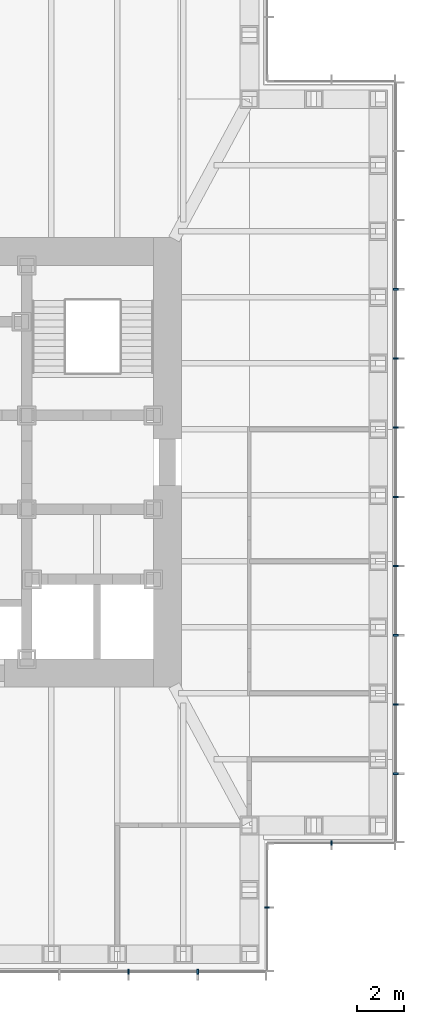
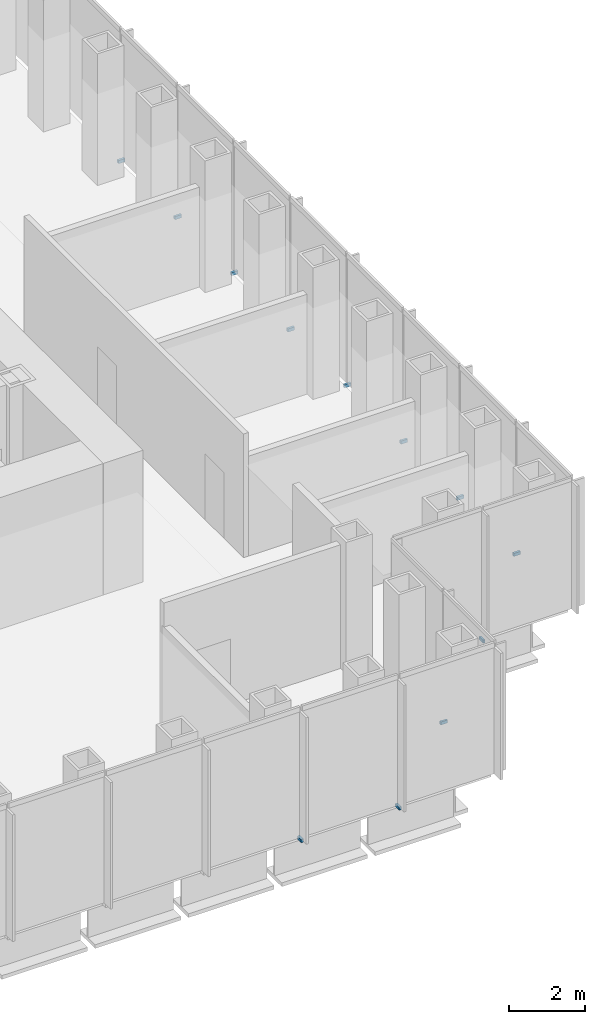
# One storey, part 13 of 16: 12 discrete accessories.
"""IFC4 building model written with IfcOpenShell, lengths in metres."""

from ifc_helpers import new_model, si_unit, direction, frame, origin, origin_2d, place, context, subcontext, project, spatial, rectangle, extrude, element, save


model = new_model("IFC4")

# Units and contexts
model_context = context("Model", 3, precision=1e-05, world=origin(), true_north=direction((0.0, 1.0)))
body_context = subcontext(model_context, "Body", "Model", "MODEL_VIEW")
ifc_project = project(units=[si_unit("LENGTHUNIT", "METRE"), si_unit("AREAUNIT", "SQUARE_METRE"), si_unit("VOLUMEUNIT", "CUBIC_METRE"), si_unit("PLANEANGLEUNIT", "RADIAN"), si_unit("MASSUNIT", "GRAM", prefix="KILO")], contexts=[model_context])

# Site, building, storey
site_placement = place(None, origin())
site = spatial("IfcSite", under=ifc_project, at=site_placement, CompositionType="ELEMENT")
building_placement = place(site_placement, origin())
building = spatial("IfcBuilding", under=site, at=building_placement, Name="Daluyong Arena Tower", CompositionType="ELEMENT")
storey_placement = place(building_placement, frame((0.0, 0.0, 240.10009765625)))
storey = spatial("IfcBuildingStorey", under=building, at=storey_placement, Name="L54", CompositionType="ELEMENT", Elevation=240.10009765625)

# Discrete accessories
for number, where, z_axis, x_axis, name in (
    (1, (66.3408203125, 58.25, -0.10009765625), (0.0, 0.0, 1.0), (1.0, 0.0, 0.0), "curtain wall L54 S anchor bracket 10"),
    (2, (69.29541015625, 58.25, -0.10009765625), (0.0, 0.0, 1.0), (1.0, 0.0, 0.0), "curtain wall L54 S anchor bracket 11"),
):
    element("IfcDiscreteAccessory", number, at=place(storey_placement, frame(where, z_axis=z_axis, x_axis=x_axis)), inside=storey, Name=name, PredefinedType="BRACKET", context=body_context, shape_type="SweptSolid", body=[
        extrude(rectangle(XDim=0.070068359375, YDim=0.199951171875, at=origin_2d()), origin(), (0.0, 0.0, 1.0), 0.10009765625),
    ])
for number, where, z_axis, x_axis, name in (
    (3, (72.25, 61.0, -0.10009765625), (0.0, 0.0, 1.0), (0.0, 1.0, 0.0), "curtain wall L54 SE-E anchor bracket 2"),
    (4, (75.0, 63.75, -0.10009765625), (0.0, 0.0, 1.0), (1.0, 0.0, 0.0), "curtain wall L54 SE-S anchor bracket 2"),
):
    element("IfcDiscreteAccessory", number, at=place(storey_placement, frame(where, z_axis=z_axis, x_axis=x_axis)), inside=storey, Name=name, PredefinedType="BRACKET", context=body_context, shape_type="SweptSolid", body=[
        extrude(rectangle(XDim=0.06005859375, YDim=0.199951171875, at=origin_2d()), origin(), (0.0, 0.0, 1.0), 0.10009765625),
    ])
for number, where, z_axis, x_axis, name in (
    (5, (77.75, 66.70458984375, -0.10009765625), (0.0, 0.0, 1.0), (0.0, 1.0, 0.0), "curtain wall L54 E anchor bracket 2"),
    (6, (77.75, 69.6591796875, -0.10009765625), (0.0, 0.0, 1.0), (0.0, 1.0, 0.0), "curtain wall L54 E anchor bracket 3"),
    (7, (77.75, 72.613525390625, -0.10009765625), (0.0, 0.0, 1.0), (0.0, 1.0, 0.0), "curtain wall L54 E anchor bracket 4"),
    (8, (77.75, 75.568115234375, -0.10009765625), (0.0, 0.0, 1.0), (0.0, 1.0, 0.0), "curtain wall L54 E anchor bracket 5"),
    (9, (77.75, 78.522705078125, -0.10009765625), (0.0, 0.0, 1.0), (0.0, 1.0, 0.0), "curtain wall L54 E anchor bracket 6"),
    (10, (77.75, 81.477294921875, -0.10009765625), (0.0, 0.0, 1.0), (0.0, 1.0, 0.0), "curtain wall L54 E anchor bracket 7"),
    (11, (77.75, 84.431884765625, -0.10009765625), (0.0, 0.0, 1.0), (0.0, 1.0, 0.0), "curtain wall L54 E anchor bracket 8"),
    (12, (77.75, 87.386474609375, -0.10009765625), (0.0, 0.0, 1.0), (0.0, 1.0, 0.0), "curtain wall L54 E anchor bracket 9"),
):
    element("IfcDiscreteAccessory", number, at=place(storey_placement, frame(where, z_axis=z_axis, x_axis=x_axis)), inside=storey, Name=name, PredefinedType="BRACKET", context=body_context, shape_type="SweptSolid", body=[
        extrude(rectangle(XDim=0.070068359375, YDim=0.199951171875, at=origin_2d()), origin(), (0.0, 0.0, 1.0), 0.10009765625),
    ])

save(model, "model.ifc")
